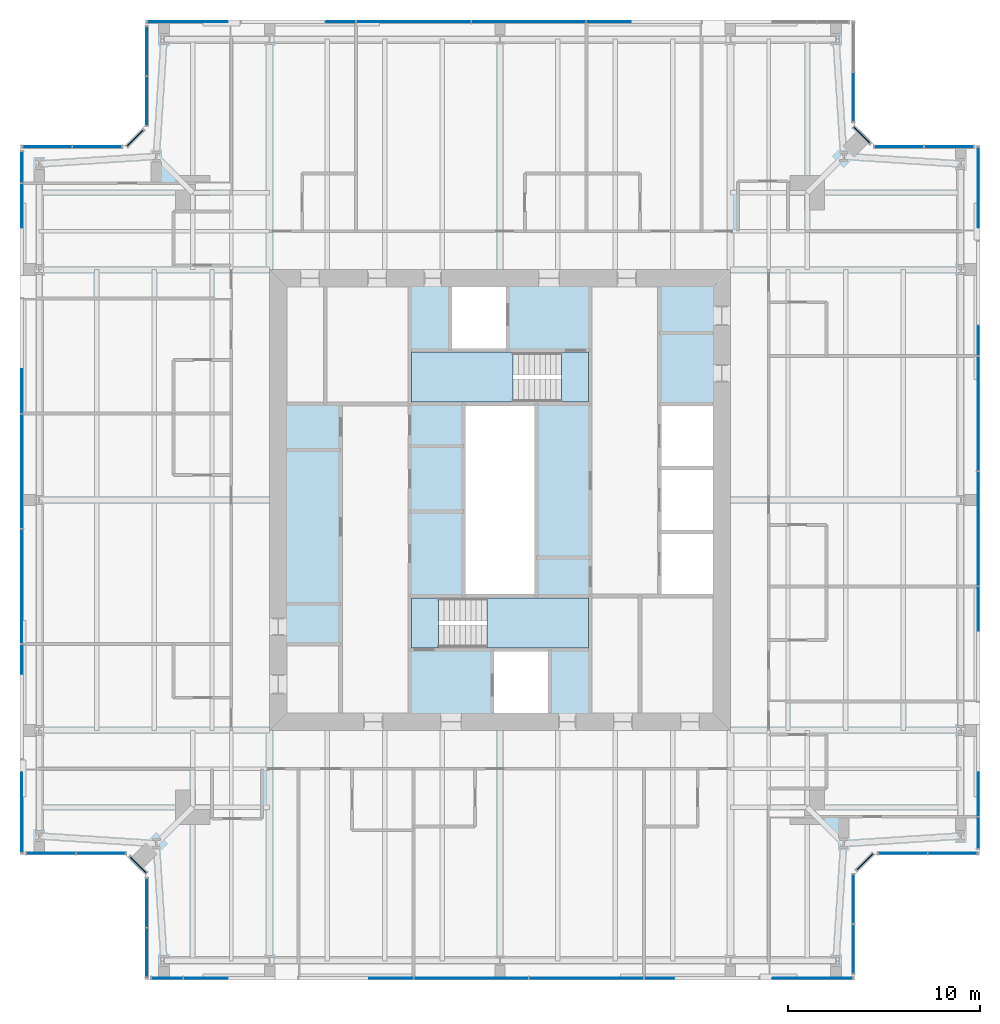
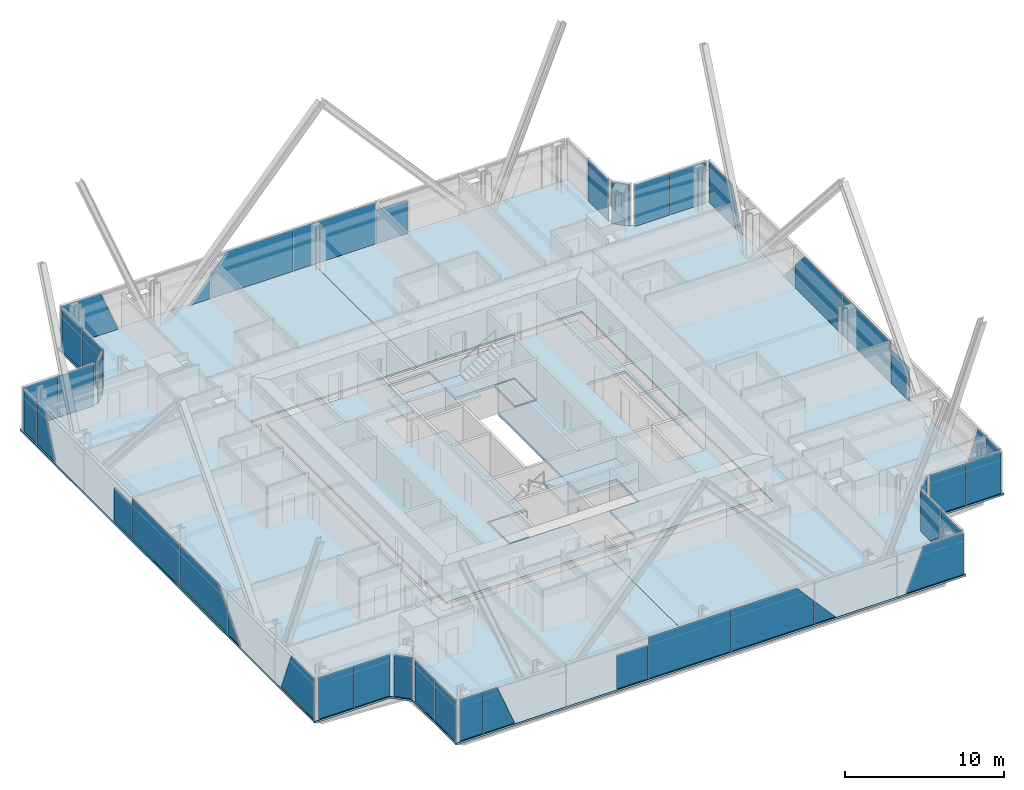
# One storey, part 10 of 18: 45 plates, 7 slabs, 18 elements without a shape of their own.
"""IFC4 building model written with IfcOpenShell, lengths in metres."""

import ifcopenshell
import ifcopenshell.guid

model = None  # the IFC model being written
_history = None  # IfcOwnerHistory: only IFC2X3 demands one
_inside = {}  # id of a spatial element -> (the spatial element, [elements in it])
_under = {}  # id of a project, library or spatial element -> (it, [spatial elements below it])
_declared = {}  # id of a project -> (the project, [libraries it declares])
_typed = {}  # id of a type object -> (the type object, [elements of that type])
_made_of = {}  # id of a material, layer set ... -> (it, [elements and type objects made of it])


def new_model(schema):
    """Start an empty IFC model of exactly this schema.

    Asked for "IFC4X3", IfcOpenShell would pick the latest addendum, in which some entities
    have other attributes; the version numbers below select the first issue.
    IFC2X3 requires an IfcOwnerHistory on every rooted entity: one is made here for all.
    """
    global model, _history
    if schema == "IFC4X3":
        model = ifcopenshell.file(schema_version=(4, 3, 0, 0))
    else:
        model = ifcopenshell.file(schema=schema)
    _inside.clear()
    _under.clear()
    _declared.clear()
    _typed.clear()
    _made_of.clear()
    _history = None
    if model.schema == "IFC2X3":
        org = make("IfcOrganization", Name="unknown")
        user = make(
            "IfcPersonAndOrganization",
            ThePerson=make("IfcPerson", FamilyName="unknown"),
            TheOrganization=org,
        )
        app = make(
            "IfcApplication",
            ApplicationDeveloper=org,
            Version="unknown",
            ApplicationFullName="unknown",
            ApplicationIdentifier="unknown",
        )
        _history = make(
            "IfcOwnerHistory",
            OwningUser=user,
            OwningApplication=app,
            ChangeAction="ADDED",
            CreationDate=0,
        )
    return model


def make(cls, **values):
    """One entity of the class cls with the attributes given. An attribute that is None is left unset."""
    return model.create_entity(
        cls, **{name: value for name, value in values.items() if value is not None}
    )


def rooted(cls, **values):
    """An entity with a GlobalId (a new one), such as an element, a storey or a relation."""
    return make(cls, GlobalId=ifcopenshell.guid.new(), OwnerHistory=_history, **values)


def si_unit(unit_type, name, prefix=None):
    """IfcSIUnit, for example si_unit("LENGTHUNIT", "METRE", prefix="MILLI")."""
    return make("IfcSIUnit", UnitType=unit_type, Prefix=prefix, Name=name)


def assignment(units):
    """IfcUnitAssignment: the units of a project."""
    return None if units is None else make("IfcUnitAssignment", Units=units)


def point(xyz):
    """IfcCartesianPoint."""
    return None if xyz is None else make("IfcCartesianPoint", Coordinates=xyz)


def direction(xyz):
    """IfcDirection."""
    return None if xyz is None else make("IfcDirection", DirectionRatios=xyz)


def frame(location, z_axis=None, x_axis=None):
    """IfcAxis2Placement3D, a coordinate frame: its origin and axes. An axis left out is left unset."""
    return make(
        "IfcAxis2Placement3D",
        Location=point(location),
        Axis=direction(z_axis),
        RefDirection=direction(x_axis),
    )


def frame_2d(location, x_axis=None):
    """IfcAxis2Placement2D, a coordinate frame in the plane: its origin and x axis."""
    return make(
        "IfcAxis2Placement2D", Location=point(location), RefDirection=direction(x_axis)
    )


def origin():
    """The frame at (0, 0, 0) with its axes left unset."""
    return frame((0.0, 0.0, 0.0))


def origin_2d():
    """The frame at (0, 0) in the plane with its x axis left unset."""
    return frame_2d((0.0, 0.0))


def place(relative_to, where):
    """IfcLocalPlacement: puts the frame where relative to a parent placement (None: the world)."""
    return make(
        "IfcLocalPlacement", PlacementRelTo=relative_to, RelativePlacement=where
    )


def context(
    kind, dimensions, precision=None, world=None, true_north=None, identifier=None
):
    """IfcGeometricRepresentationContext, for example the 3D "Model" context."""
    return make(
        "IfcGeometricRepresentationContext",
        ContextIdentifier=identifier,
        ContextType=kind,
        CoordinateSpaceDimension=dimensions,
        Precision=precision,
        WorldCoordinateSystem=world,
        TrueNorth=true_north,
    )


def subcontext(parent, identifier, kind, view, scale=None):
    """IfcGeometricRepresentationSubContext, for example "Body" below "Model"."""
    return make(
        "IfcGeometricRepresentationSubContext",
        ContextIdentifier=identifier,
        ContextType=kind,
        ParentContext=parent,
        TargetScale=scale,
        TargetView=view,
    )


def project(units=None, contexts=None):
    """IfcProject with its units and contexts."""
    return rooted(
        "IfcProject",
        Name="project",
        RepresentationContexts=contexts,
        UnitsInContext=assignment(units),
    )


def spatial(cls, under=None, at=None, **own):
    """A site, building, storey or space (cls), placed at a placement, below another one or the project."""
    s = rooted(cls, ObjectPlacement=at, **own)
    if under is not None:
        _under.setdefault(under.id(), (under, []))[1].append(s)
    return s


def polyline(points):
    """IfcPolyline through the points."""
    return make("IfcPolyline", Points=[point(p) for p in points])


def profile(cls, at=None, kind="AREA", **sizes):
    """A parametric profile (cls). Its sizes go by their IFC names, for example OverallWidth=200.0."""
    return make(cls, ProfileType=kind, Position=at, **sizes)


def rectangle(**sizes):
    """IfcRectangleProfileDef."""
    return profile("IfcRectangleProfileDef", **sizes)


def outline(outer, holes=None, kind="AREA"):
    """IfcArbitraryClosedProfileDef: a profile drawn as a closed curve; with holes, ...WithVoids."""
    if holes is None:
        return make("IfcArbitraryClosedProfileDef", ProfileType=kind, OuterCurve=outer)
    return make(
        "IfcArbitraryProfileDefWithVoids",
        ProfileType=kind,
        OuterCurve=outer,
        InnerCurves=holes,
    )


def extrude(swept, where, along, depth):
    """IfcExtrudedAreaSolid: the profile swept, set in the frame where, extruded along a direction by depth."""
    return make(
        "IfcExtrudedAreaSolid",
        SweptArea=swept,
        Position=where,
        ExtrudedDirection=direction(along),
        Depth=depth,
    )


def shape(context_of_items, identifier, shape_type, items):
    """IfcShapeRepresentation: the items that make up one representation, for example the "Body"."""
    return make(
        "IfcShapeRepresentation",
        ContextOfItems=context_of_items,
        RepresentationIdentifier=identifier,
        RepresentationType=shape_type,
        Items=items,
    )


def material(Name=None, Category=None):
    """IfcMaterial."""
    return make("IfcMaterial", Name=Name, Category=Category)


def layer(
    of_material, thickness, ventilated=None, Name=None, Category=None, Priority=None
):
    """IfcMaterialLayer: one layer of a wall or slab, of a material (None: an air gap)."""
    return make(
        "IfcMaterialLayer",
        Material=of_material,
        LayerThickness=thickness,
        IsVentilated=ventilated,
        Name=Name,
        Category=Category,
        Priority=Priority,
    )


def layer_set(layers, Name=None):
    """IfcMaterialLayerSet."""
    return make("IfcMaterialLayerSet", MaterialLayers=layers, LayerSetName=Name)


def made_of(thing, what):
    """Note that an element or type object is made of a material, layer set ...; save() writes the relation."""
    if what is not None:
        _made_of.setdefault(what.id(), (what, []))[1].append(thing)
    return thing


def type_object(cls, material=None, **own):
    """A type object (cls), such as IfcWallType, which elements share."""
    return made_of(rooted(cls, **own), material)


def element(
    cls,
    number,
    at=None,
    inside=None,
    cuts=None,
    type_object=None,
    material=None,
    context=None,
    identifier="Body",
    shape_type=None,
    held_by="IfcProductDefinitionShape",
    body=None,
    shapes=None,
    **own,
):
    """One element of the class cls, such as IfcWall. Its Tag is "e" and its number.

    at: its placement. inside: the storey or other place that contains it. cuts: it is an
    opening in that element (IfcRelVoidsElement). A single representation is given by context,
    identifier, shape_type and body (its items); several are given by shapes. held_by: the class
    of the entity that holds the representations. save() writes the other relations.
    """
    e = rooted(cls, Tag="e%d" % number, ObjectPlacement=at, **own)
    if body is not None:
        shapes = [shape(context, identifier, shape_type, body)]
    if shapes is not None:
        e.Representation = make(held_by, Representations=shapes)
    if inside is not None:
        _inside.setdefault(inside.id(), (inside, []))[1].append(e)
    if cuts is not None:
        rooted(
            "IfcRelVoidsElement", RelatingBuildingElement=cuts, RelatedOpeningElement=e
        )
    if type_object is not None:
        _typed.setdefault(type_object.id(), (type_object, []))[1].append(e)
    return made_of(e, material)


def aggregate(whole, parts):
    """IfcRelAggregates: a whole, such as a stair, and the parts it consists of."""
    return rooted("IfcRelAggregates", RelatingObject=whole, RelatedObjects=parts)


def save(model, path):
    """Write the relations noted so far, then the file.

    IfcRelAggregates (storeys below a building ...), IfcRelContainedInSpatialStructure (elements
    in a storey), IfcRelDefinesByType, IfcRelAssociatesMaterial and IfcRelDeclares: one each for
    every whole, place, type object, material and project.
    """
    for whole, parts in _under.values():
        aggregate(whole, parts)
    for where, things in _inside.values():
        rooted(
            "IfcRelContainedInSpatialStructure",
            RelatedElements=things,
            RelatingStructure=where,
        )
    for kind, things in _typed.values():
        rooted("IfcRelDefinesByType", RelatedObjects=things, RelatingType=kind)
    for what, things in _made_of.values():
        rooted("IfcRelAssociatesMaterial", RelatedObjects=things, RelatingMaterial=what)
    for by, libraries in _declared.values():
        rooted("IfcRelDeclares", RelatingContext=by, RelatedDefinitions=libraries)
    model.write(path)


model = new_model("IFC4")

# Units and contexts
model_context = context("Model", 3, precision=1e-05, world=origin(), true_north=direction((0.0, 1.0)))
body_context = subcontext(model_context, "Body", "Model", "MODEL_VIEW")
ifc_project = project(units=[si_unit("LENGTHUNIT", "METRE"), si_unit("AREAUNIT", "SQUARE_METRE"), si_unit("VOLUMEUNIT", "CUBIC_METRE"), si_unit("PLANEANGLEUNIT", "RADIAN"), si_unit("MASSUNIT", "GRAM", prefix="KILO")], contexts=[model_context])

# Site, building, storey
site_placement = place(None, origin())
site = spatial("IfcSite", under=ifc_project, at=site_placement, CompositionType="ELEMENT")
building_placement = place(site_placement, origin())
building = spatial("IfcBuilding", under=site, at=building_placement, Name="Fenwick Lantern Interchange", CompositionType="ELEMENT")
storey_placement = place(building_placement, frame((0.0, 0.0, 269.60009765625)))
storey = spatial("IfcBuildingStorey", under=building, at=storey_placement, Name="L64", CompositionType="ELEMENT", Elevation=269.60009765625)

# Slabs
ifc_material_1 = material(Name="Concrete f'c 35 MPa", Category="concrete")
ifc_layer_1 = layer(ifc_material_1, 0.199951171875)
ifc_layer_set_1 = layer_set([ifc_layer_1], Name="CORE FLOOR SLAB 200")
slab_type_1 = type_object("IfcSlabType", Name="CORE FLOOR SLAB 200", PredefinedType="FLOOR", material=ifc_layer_set_1)
slab_1_placement = place(storey_placement, frame((0.0, 0.0, -0.2001953125)))
element("IfcSlab", 1, at=slab_1_placement, inside=storey, type_object=slab_type_1, Name="L64/SLAB/CORE", PredefinedType="FLOOR", context=body_context, shape_type="SweptSolid", body=[
    extrude(outline(polyline([(13.699951171875, 36.300048828125), (36.300048828125, 36.300048828125), (36.300048828125, 13.699951171875), (13.699951171875, 13.699951171875), (13.699951171875, 36.300048828125)]), holes=[polyline([(24.60009765625, 13.89990234375), (27.60009765625, 13.89990234375), (27.60009765625, 17.199951171875), (29.699951171875, 17.199951171875), (29.699951171875, 20.0), (26.89990234375, 20.0), (26.89990234375, 30.0), (29.699951171875, 30.0), (29.699951171875, 32.800048828125), (25.39990234375, 32.800048828125), (25.39990234375, 36.10009765625), (22.39990234375, 36.10009765625), (22.39990234375, 32.800048828125), (20.300048828125, 32.800048828125), (20.300048828125, 30.0), (23.10009765625, 30.0), (23.10009765625, 20.0), (20.300048828125, 20.0), (20.300048828125, 17.199951171875), (24.60009765625, 17.199951171875), (24.60009765625, 13.89990234375)]), polyline([(33.300048828125, 20.0), (36.10009765625, 20.0), (36.10009765625, 23.333251953125), (36.10009765625, 26.666748046875), (36.10009765625, 30.0), (33.300048828125, 30.0), (33.300048828125, 26.666748046875), (33.300048828125, 23.333251953125), (33.300048828125, 20.0)])]), origin(), (0.0, 0.0, 1.0), 0.2001953125),
])
ifc_material_2 = material(Name="Concrete f'c 35 MPa", Category="concrete")
ifc_layer_2 = layer(ifc_material_2, 0.14990234375)
ifc_layer_set_2 = layer_set([ifc_layer_2], Name="Concrete f'c 35 MPa")
slab_type_2 = type_object("IfcSlabType", Name="FLOOR SLAB 150", PredefinedType="FLOOR", material=ifc_layer_set_2)
slab_2_placement = place(storey_placement, frame((0.0, 0.0, -0.150146484375)))
element("IfcSlab", 2, at=slab_2_placement, inside=storey, type_object=slab_type_2, Name="L64/SLAB/FW", PredefinedType="FLOOR", context=body_context, shape_type="SweptSolid", body=[
    extrude(outline(polyline([(6.5, 0.0), (6.5, 5.5), (5.5, 6.5), (0.0, 6.5), (0.0, 43.5), (5.5, 43.5), (6.5, 44.5), (6.5, 50.0), (25.0, 50.0), (25.0, 37.0), (13.0, 37.0), (13.0, 13.0), (25.0, 13.0), (25.0, 0.0), (6.5, 0.0)])), origin(), (0.0, 0.0, 1.0), 0.150146484375),
])
slab_3_placement = place(storey_placement, frame((0.0, 0.0, -0.150146484375)))
element("IfcSlab", 3, at=slab_3_placement, inside=storey, type_object=slab_type_2, Name="L64/SLAB/FE", PredefinedType="FLOOR", context=body_context, shape_type="SweptSolid", body=[
    extrude(outline(polyline([(43.5, 50.0), (43.5, 44.5), (44.5, 43.5), (50.0, 43.5), (50.0, 6.5), (44.5, 6.5), (43.5, 5.5), (43.5, 0.0), (25.0, 0.0), (25.0, 13.0), (37.0, 13.0), (37.0, 37.0), (25.0, 37.0), (25.0, 50.0), (43.5, 50.0)])), origin(), (0.0, 0.0, 1.0), 0.150146484375),
])

# Curtain wall, plates
ifc_material_3 = material(Name="Aluminium curtain wall frame", Category="aluminium")
curtain_wall_type = type_object("IfcCurtainWallType", Name="HOTEL CURTAIN WALL", PredefinedType="USERDEFINED", material=ifc_material_3)
curtain_wall_1_placement = place(storey_placement, origin())
curtain_wall_1 = element("IfcCurtainWall", 4, at=curtain_wall_1_placement, inside=storey, type_object=curtain_wall_type, Name="Hotel curtain wall 01", ObjectType="HOTEL CURTAIN WALL", PredefinedType="USERDEFINED")
ifc_material_4 = material(Name="Vision glass, acoustic laminated double glazed unit", Category="glass")
ifc_layer_3 = layer(ifc_material_4, 0.052001953125)
ifc_layer_set_3 = layer_set([ifc_layer_3], Name="HOTEL CURTAIN WALL PANEL 52")
plate_type = type_object("IfcPlateType", Name="HOTEL CURTAIN WALL PANEL 52", PredefinedType="CURTAIN_PANEL", material=ifc_layer_set_3)
plate_1_placement = place(storey_placement, frame((7.6650390625, 0.10009765625, 0.0), z_axis=(0.0, 0.0, 1.0), x_axis=(1.0, 0.0, 0.0)))
plate_1 = element("IfcPlate", 5, at=plate_1_placement, type_object=plate_type, Name="L64/CW/01/P00", PredefinedType="CURTAIN_PANEL", context=body_context, shape_type="SweptSolid", body=[
    extrude(rectangle(XDim=1.610107421875, YDim=0.052001953125, at=origin_2d()), origin(), (0.0, 0.0, 1.0), 3.14990234375),
])
plate_2_placement = place(storey_placement, frame((6.60009765625, 0.10009765625, 0.0), z_axis=(0.0, 0.0, 1.0), x_axis=(1.0, 0.0, 0.0)))
plate_2 = element("IfcPlate", 6, at=plate_2_placement, type_object=plate_type, Name="L64/CW/01/P01a", PredefinedType="CURTAIN_PANEL", context=body_context, shape_type="SweptSolid", body=[
    extrude(outline(polyline([(1.929931640625, 0.0), (4.21337890625, 0.0), (2.939453125, 3.14990234375), (1.929931640625, 3.14990234375), (1.929931640625, 0.0)])), frame((0.0, 0.02587890625, 0.0), z_axis=(0.0, -1.0, 0.0), x_axis=(1.0, 0.0, 0.0)), (0.0, 0.0, 1.0), 0.052001953125),
])
plate_3_placement = place(storey_placement, frame((6.60009765625, 0.10009765625, 0.0), z_axis=(0.0, 0.0, 1.0), x_axis=(1.0, 0.0, 0.0)))
plate_3 = element("IfcPlate", 7, at=plate_3_placement, type_object=plate_type, Name="L64/CW/01/P02a", PredefinedType="CURTAIN_PANEL", context=body_context, shape_type="SweptSolid", body=[
    extrude(outline(polyline([(11.600341796875, 0.0), (13.8701171875, 0.0), (13.8701171875, 2.56689453125), (11.600341796875, 2.56689453125), (11.600341796875, 0.0)])), frame((0.0, 0.02587890625, 0.0), z_axis=(0.0, -1.0, 0.0), x_axis=(1.0, 0.0, 0.0)), (0.0, 0.0, 1.0), 0.052001953125),
])
plate_4_placement = place(storey_placement, frame((23.5, 0.10009765625, 0.0), z_axis=(0.0, 0.0, 1.0), x_axis=(1.0, 0.0, 0.0)))
plate_4 = element("IfcPlate", 8, at=plate_4_placement, type_object=plate_type, Name="L64/CW/01/P03", PredefinedType="CURTAIN_PANEL", context=body_context, shape_type="SweptSolid", body=[
    extrude(rectangle(XDim=5.93994140625, YDim=0.052001953125, at=origin_2d()), origin(), (0.0, 0.0, 1.0), 3.14990234375),
])
plate_5_placement = place(storey_placement, frame((6.60009765625, 0.10009765625, 0.0), z_axis=(0.0, 0.0, 1.0), x_axis=(1.0, 0.0, 0.0)))
plate_5 = element("IfcPlate", 9, at=plate_5_placement, type_object=plate_type, Name="L64/CW/01/P04a", PredefinedType="CURTAIN_PANEL", context=body_context, shape_type="SweptSolid", body=[
    extrude(outline(polyline([(19.929931640625, 0.0), (25.8701171875, 0.0), (25.8701171875, 1.807373046875), (24.685302734375, 3.14990234375), (19.929931640625, 3.14990234375), (19.929931640625, 0.0)])), frame((0.0, 0.02587890625, 0.0), z_axis=(0.0, -1.0, 0.0), x_axis=(1.0, 0.0, 0.0)), (0.0, 0.0, 1.0), 0.052001953125),
])
plate_6_placement = place(storey_placement, frame((6.60009765625, 0.10009765625, 0.0), z_axis=(0.0, 0.0, 1.0), x_axis=(1.0, 0.0, 0.0)))
plate_6 = element("IfcPlate", 10, at=plate_6_placement, type_object=plate_type, Name="L64/CW/01/P05a", PredefinedType="CURTAIN_PANEL", context=body_context, shape_type="SweptSolid", body=[
    extrude(outline(polyline([(25.929931640625, 0.0), (27.46484375, 0.0), (25.929931640625, 1.7392578125), (25.929931640625, 0.0)])), frame((0.0, 0.02587890625, 0.0), z_axis=(0.0, -1.0, 0.0), x_axis=(1.0, 0.0, 0.0)), (0.0, 0.0, 1.0), 0.052001953125),
])
plate_7_placement = place(storey_placement, frame((6.60009765625, 0.10009765625, 0.0), z_axis=(0.0, 0.0, 1.0), x_axis=(1.0, 0.0, 0.0)))
plate_7 = element("IfcPlate", 11, at=plate_7_placement, type_object=plate_type, Name="L64/CW/01/P06a", PredefinedType="CURTAIN_PANEL", context=body_context, shape_type="SweptSolid", body=[
    extrude(outline(polyline([(32.586669921875, 0.0), (36.739990234375, 0.0), (36.739990234375, 3.14990234375), (33.860595703125, 3.14990234375), (32.586669921875, 0.0)])), frame((0.0, 0.02587890625, 0.0), z_axis=(0.0, -1.0, 0.0), x_axis=(1.0, 0.0, 0.0)), (0.0, 0.0, 1.0), 0.052001953125),
])
aggregate(curtain_wall_1, [plate_1, plate_2, plate_3, plate_4, plate_5, plate_6, plate_7])

curtain_wall_2_placement = place(storey_placement, origin())
curtain_wall_2 = element("IfcCurtainWall", 12, at=curtain_wall_2_placement, inside=storey, type_object=curtain_wall_type, Name="Hotel curtain wall 02", ObjectType="HOTEL CURTAIN WALL", PredefinedType="USERDEFINED")
plate_8_placement = place(storey_placement, frame((43.39990234375, 1.625244140625, 0.0), z_axis=(0.0, 0.0, 1.0), x_axis=(0.0, 1.0, 0.0)))
plate_8 = element("IfcPlate", 13, at=plate_8_placement, type_object=plate_type, Name="L64/CW/02/P00", PredefinedType="CURTAIN_PANEL", context=body_context, shape_type="SweptSolid", body=[
    extrude(rectangle(XDim=2.53076171875, YDim=0.052001953125, at=origin_2d()), origin(), (0.0, 0.0, 1.0), 3.14990234375),
])
plate_9_placement = place(storey_placement, frame((43.39990234375, 4.216064453125, 0.0), z_axis=(0.0, 0.0, 1.0), x_axis=(0.0, 1.0, 0.0)))
plate_9 = element("IfcPlate", 14, at=plate_9_placement, type_object=plate_type, Name="L64/CW/02/P01", PredefinedType="CURTAIN_PANEL", context=body_context, shape_type="SweptSolid", body=[
    extrude(rectangle(XDim=2.53076171875, YDim=0.052001953125, at=origin_2d()), origin(), (0.0, 0.0, 1.0), 3.14990234375),
])
aggregate(curtain_wall_2, [plate_8, plate_9])

# Curtain wall, plate
curtain_wall_3_placement = place(storey_placement, origin())
curtain_wall_3 = element("IfcCurtainWall", 15, at=curtain_wall_3_placement, inside=storey, type_object=curtain_wall_type, Name="Hotel curtain wall 03", ObjectType="HOTEL CURTAIN WALL", PredefinedType="USERDEFINED")
plate_10_placement = place(storey_placement, frame((44.0, 6.141357421875, 0.0), z_axis=(0.0, 0.0, 1.0), x_axis=(0.707106781187, 0.707106781187, 0.0)))
plate_10 = element("IfcPlate", 16, at=plate_10_placement, type_object=plate_type, Name="L64/CW/03/P00", PredefinedType="CURTAIN_PANEL", context=body_context, shape_type="SweptSolid", body=[
    extrude(rectangle(XDim=1.177001953125, YDim=0.052001953125, at=origin_2d()), origin(), (0.0, 0.0, 1.0), 3.14990234375),
])
aggregate(curtain_wall_3, [plate_10])

# Curtain wall, plates
curtain_wall_4_placement = place(storey_placement, origin())
curtain_wall_4 = element("IfcCurtainWall", 17, at=curtain_wall_4_placement, inside=storey, type_object=curtain_wall_type, Name="Hotel curtain wall 04", ObjectType="HOTEL CURTAIN WALL", PredefinedType="USERDEFINED")
plate_11_placement = place(storey_placement, frame((45.98388671875, 6.60009765625, 0.0), z_axis=(0.0, 0.0, 1.0), x_axis=(1.0, 0.0, 0.0)))
plate_11 = element("IfcPlate", 18, at=plate_11_placement, type_object=plate_type, Name="L64/CW/04/P00", PredefinedType="CURTAIN_PANEL", context=body_context, shape_type="SweptSolid", body=[
    extrude(rectangle(XDim=2.53076171875, YDim=0.052001953125, at=origin_2d()), origin(), (0.0, 0.0, 1.0), 3.14990234375),
])
plate_12_placement = place(storey_placement, frame((48.57470703125, 6.60009765625, 0.0), z_axis=(0.0, 0.0, 1.0), x_axis=(1.0, 0.0, 0.0)))
plate_12 = element("IfcPlate", 19, at=plate_12_placement, type_object=plate_type, Name="L64/CW/04/P01", PredefinedType="CURTAIN_PANEL", context=body_context, shape_type="SweptSolid", body=[
    extrude(rectangle(XDim=2.53076171875, YDim=0.052001953125, at=origin_2d()), origin(), (0.0, 0.0, 1.0), 3.14990234375),
])
aggregate(curtain_wall_4, [plate_11, plate_12])

curtain_wall_5_placement = place(storey_placement, origin())
curtain_wall_5 = element("IfcCurtainWall", 20, at=curtain_wall_5_placement, inside=storey, type_object=curtain_wall_type, Name="Hotel curtain wall 05", ObjectType="HOTEL CURTAIN WALL", PredefinedType="USERDEFINED")
plate_13_placement = place(storey_placement, frame((49.89990234375, 7.6650390625, 0.0), z_axis=(0.0, 0.0, 1.0), x_axis=(0.0, 1.0, 0.0)))
plate_13 = element("IfcPlate", 21, at=plate_13_placement, type_object=plate_type, Name="L64/CW/05/P00", PredefinedType="CURTAIN_PANEL", context=body_context, shape_type="SweptSolid", body=[
    extrude(rectangle(XDim=1.610107421875, YDim=0.052001953125, at=origin_2d()), origin(), (0.0, 0.0, 1.0), 3.14990234375),
])
plate_14_placement = place(storey_placement, frame((49.89990234375, 6.60009765625, 0.0), z_axis=(0.0, 0.0, 1.0), x_axis=(0.0, 1.0, 0.0)))
plate_14 = element("IfcPlate", 22, at=plate_14_placement, type_object=plate_type, Name="L64/CW/05/P01a", PredefinedType="CURTAIN_PANEL", context=body_context, shape_type="SweptSolid", body=[
    extrude(outline(polyline([(1.929931640625, 0.0), (4.21337890625, 0.0), (2.939453125, 3.14990234375), (1.929931640625, 3.14990234375), (1.929931640625, 0.0)])), frame((0.0, 0.02587890625, 0.0), z_axis=(0.0, -1.0, 0.0), x_axis=(1.0, 0.0, 0.0)), (0.0, 0.0, 1.0), 0.052001953125),
])
plate_15_placement = place(storey_placement, frame((49.89990234375, 6.60009765625, 0.0), z_axis=(0.0, 0.0, 1.0), x_axis=(0.0, 1.0, 0.0)))
plate_15 = element("IfcPlate", 23, at=plate_15_placement, type_object=plate_type, Name="L64/CW/05/P02a", PredefinedType="CURTAIN_PANEL", context=body_context, shape_type="SweptSolid", body=[
    extrude(outline(polyline([(11.600341796875, 0.0), (13.8701171875, 0.0), (13.8701171875, 2.56689453125), (11.600341796875, 2.56689453125), (11.600341796875, 0.0)])), frame((0.0, 0.02587890625, 0.0), z_axis=(0.0, -1.0, 0.0), x_axis=(1.0, 0.0, 0.0)), (0.0, 0.0, 1.0), 0.052001953125),
])
plate_16_placement = place(storey_placement, frame((49.89990234375, 23.5, 0.0), z_axis=(0.0, 0.0, 1.0), x_axis=(0.0, 1.0, 0.0)))
plate_16 = element("IfcPlate", 24, at=plate_16_placement, type_object=plate_type, Name="L64/CW/05/P03", PredefinedType="CURTAIN_PANEL", context=body_context, shape_type="SweptSolid", body=[
    extrude(rectangle(XDim=5.93994140625, YDim=0.052001953125, at=origin_2d()), origin(), (0.0, 0.0, 1.0), 3.14990234375),
])
plate_17_placement = place(storey_placement, frame((49.89990234375, 6.60009765625, 0.0), z_axis=(0.0, 0.0, 1.0), x_axis=(0.0, 1.0, 0.0)))
plate_17 = element("IfcPlate", 25, at=plate_17_placement, type_object=plate_type, Name="L64/CW/05/P04a", PredefinedType="CURTAIN_PANEL", context=body_context, shape_type="SweptSolid", body=[
    extrude(outline(polyline([(19.929931640625, 0.0), (25.8701171875, 0.0), (25.8701171875, 1.807373046875), (24.685302734375, 3.14990234375), (19.929931640625, 3.14990234375), (19.929931640625, 0.0)])), frame((0.0, 0.02587890625, 0.0), z_axis=(0.0, -1.0, 0.0), x_axis=(1.0, 0.0, 0.0)), (0.0, 0.0, 1.0), 0.052001953125),
])
plate_18_placement = place(storey_placement, frame((49.89990234375, 6.60009765625, 0.0), z_axis=(0.0, 0.0, 1.0), x_axis=(0.0, 1.0, 0.0)))
plate_18 = element("IfcPlate", 26, at=plate_18_placement, type_object=plate_type, Name="L64/CW/05/P05a", PredefinedType="CURTAIN_PANEL", context=body_context, shape_type="SweptSolid", body=[
    extrude(outline(polyline([(25.929931640625, 0.0), (27.46484375, 0.0), (25.929931640625, 1.7392578125), (25.929931640625, 0.0)])), frame((0.0, 0.02587890625, 0.0), z_axis=(0.0, -1.0, 0.0), x_axis=(1.0, 0.0, 0.0)), (0.0, 0.0, 1.0), 0.052001953125),
])
plate_19_placement = place(storey_placement, frame((49.89990234375, 6.60009765625, 0.0), z_axis=(0.0, 0.0, 1.0), x_axis=(0.0, 1.0, 0.0)))
plate_19 = element("IfcPlate", 27, at=plate_19_placement, type_object=plate_type, Name="L64/CW/05/P06a", PredefinedType="CURTAIN_PANEL", context=body_context, shape_type="SweptSolid", body=[
    extrude(outline(polyline([(32.586669921875, 0.0), (36.739990234375, 0.0), (36.739990234375, 3.14990234375), (33.860595703125, 3.14990234375), (32.586669921875, 0.0)])), frame((0.0, 0.02587890625, 0.0), z_axis=(0.0, -1.0, 0.0), x_axis=(1.0, 0.0, 0.0)), (0.0, 0.0, 1.0), 0.052001953125),
])
aggregate(curtain_wall_5, [plate_13, plate_14, plate_15, plate_16, plate_17, plate_18, plate_19])

curtain_wall_6_placement = place(storey_placement, origin())
curtain_wall_6 = element("IfcCurtainWall", 28, at=curtain_wall_6_placement, inside=storey, type_object=curtain_wall_type, Name="Hotel curtain wall 06", ObjectType="HOTEL CURTAIN WALL", PredefinedType="USERDEFINED")
plate_20_placement = place(storey_placement, frame((48.374755859375, 43.39990234375, 0.0), z_axis=(0.0, 0.0, 1.0), x_axis=(-1.0, 0.0, 0.0)))
plate_20 = element("IfcPlate", 29, at=plate_20_placement, type_object=plate_type, Name="L64/CW/06/P00", PredefinedType="CURTAIN_PANEL", context=body_context, shape_type="SweptSolid", body=[
    extrude(rectangle(XDim=2.53076171875, YDim=0.052001953125, at=origin_2d()), origin(), (0.0, 0.0, 1.0), 3.14990234375),
])
plate_21_placement = place(storey_placement, frame((45.783935546875, 43.39990234375, 0.0), z_axis=(0.0, 0.0, 1.0), x_axis=(-1.0, 0.0, 0.0)))
plate_21 = element("IfcPlate", 30, at=plate_21_placement, type_object=plate_type, Name="L64/CW/06/P01", PredefinedType="CURTAIN_PANEL", context=body_context, shape_type="SweptSolid", body=[
    extrude(rectangle(XDim=2.53076171875, YDim=0.052001953125, at=origin_2d()), origin(), (0.0, 0.0, 1.0), 3.14990234375),
])
aggregate(curtain_wall_6, [plate_20, plate_21])

# Curtain wall, plate
curtain_wall_7_placement = place(storey_placement, origin())
curtain_wall_7 = element("IfcCurtainWall", 31, at=curtain_wall_7_placement, inside=storey, type_object=curtain_wall_type, Name="Hotel curtain wall 07", ObjectType="HOTEL CURTAIN WALL", PredefinedType="USERDEFINED")
plate_22_placement = place(storey_placement, frame((43.858642578125, 44.0, 0.0), z_axis=(0.0, 0.0, 1.0), x_axis=(-0.707106781187, 0.707106781187, 0.0)))
plate_22 = element("IfcPlate", 32, at=plate_22_placement, type_object=plate_type, Name="L64/CW/07/P00", PredefinedType="CURTAIN_PANEL", context=body_context, shape_type="SweptSolid", body=[
    extrude(rectangle(XDim=1.177001953125, YDim=0.052001953125, at=origin_2d()), origin(), (0.0, 0.0, 1.0), 3.14990234375),
])
aggregate(curtain_wall_7, [plate_22])

curtain_wall_8_placement = place(storey_placement, origin())
curtain_wall_8 = element("IfcCurtainWall", 33, at=curtain_wall_8_placement, inside=storey, type_object=curtain_wall_type, Name="Hotel curtain wall 08", ObjectType="HOTEL CURTAIN WALL", PredefinedType="USERDEFINED")
plate_23_placement = place(storey_placement, frame((43.39990234375, 45.98388671875, 0.0), z_axis=(0.0, 0.0, 1.0), x_axis=(0.0, 1.0, 0.0)))
plate_23 = element("IfcPlate", 34, at=plate_23_placement, type_object=plate_type, Name="L64/CW/08/P00", PredefinedType="CURTAIN_PANEL", context=body_context, shape_type="SweptSolid", body=[
    extrude(rectangle(XDim=2.53076171875, YDim=0.052001953125, at=origin_2d()), origin(), (0.0, 0.0, 1.0), 3.14990234375),
])
aggregate(curtain_wall_8, [plate_23])

# Curtain wall, plates
curtain_wall_9_placement = place(storey_placement, origin())
curtain_wall_9 = element("IfcCurtainWall", 35, at=curtain_wall_9_placement, inside=storey, type_object=curtain_wall_type, Name="Hotel curtain wall 09", ObjectType="HOTEL CURTAIN WALL", PredefinedType="USERDEFINED")
plate_24_placement = place(storey_placement, frame((43.39990234375, 49.89990234375, 0.0), z_axis=(0.0, 0.0, 1.0), x_axis=(-1.0, 0.0, 0.0)))
plate_24 = element("IfcPlate", 36, at=plate_24_placement, type_object=plate_type, Name="L64/CW/09/P02a", PredefinedType="CURTAIN_PANEL", context=body_context, shape_type="SweptSolid", body=[
    extrude(outline(polyline([(11.600341796875, 0.0), (13.8701171875, 0.0), (13.8701171875, 2.56689453125), (11.600341796875, 2.56689453125), (11.600341796875, 0.0)])), frame((0.0, 0.02587890625, 0.0), z_axis=(0.0, -1.0, 0.0), x_axis=(1.0, 0.0, 0.0)), (0.0, 0.0, 1.0), 0.052001953125),
])
plate_25_placement = place(storey_placement, frame((26.5, 49.89990234375, 0.0), z_axis=(0.0, 0.0, 1.0), x_axis=(-1.0, 0.0, 0.0)))
plate_25 = element("IfcPlate", 37, at=plate_25_placement, type_object=plate_type, Name="L64/CW/09/P03", PredefinedType="CURTAIN_PANEL", context=body_context, shape_type="SweptSolid", body=[
    extrude(rectangle(XDim=5.93994140625, YDim=0.052001953125, at=origin_2d()), origin(), (0.0, 0.0, 1.0), 3.14990234375),
])
plate_26_placement = place(storey_placement, frame((43.39990234375, 49.89990234375, 0.0), z_axis=(0.0, 0.0, 1.0), x_axis=(-1.0, 0.0, 0.0)))
plate_26 = element("IfcPlate", 38, at=plate_26_placement, type_object=plate_type, Name="L64/CW/09/P04a", PredefinedType="CURTAIN_PANEL", context=body_context, shape_type="SweptSolid", body=[
    extrude(outline(polyline([(19.929931640625, 0.0), (25.8701171875, 0.0), (25.8701171875, 1.807373046875), (24.685302734375, 3.14990234375), (19.929931640625, 3.14990234375), (19.929931640625, 0.0)])), frame((0.0, 0.02587890625, 0.0), z_axis=(0.0, -1.0, 0.0), x_axis=(1.0, 0.0, 0.0)), (0.0, 0.0, 1.0), 0.052001953125),
])
plate_27_placement = place(storey_placement, frame((43.39990234375, 49.89990234375, 0.0), z_axis=(0.0, 0.0, 1.0), x_axis=(-1.0, 0.0, 0.0)))
plate_27 = element("IfcPlate", 39, at=plate_27_placement, type_object=plate_type, Name="L64/CW/09/P05a", PredefinedType="CURTAIN_PANEL", context=body_context, shape_type="SweptSolid", body=[
    extrude(outline(polyline([(25.929931640625, 0.0), (27.46484375, 0.0), (25.929931640625, 1.7392578125), (25.929931640625, 0.0)])), frame((0.0, 0.02587890625, 0.0), z_axis=(0.0, -1.0, 0.0), x_axis=(1.0, 0.0, 0.0)), (0.0, 0.0, 1.0), 0.052001953125),
])
plate_28_placement = place(storey_placement, frame((43.39990234375, 49.89990234375, 0.0), z_axis=(0.0, 0.0, 1.0), x_axis=(-1.0, 0.0, 0.0)))
plate_28 = element("IfcPlate", 40, at=plate_28_placement, type_object=plate_type, Name="L64/CW/09/P06a", PredefinedType="CURTAIN_PANEL", context=body_context, shape_type="SweptSolid", body=[
    extrude(outline(polyline([(32.586669921875, 0.0), (36.739990234375, 0.0), (36.739990234375, 3.14990234375), (33.860595703125, 3.14990234375), (32.586669921875, 0.0)])), frame((0.0, 0.02587890625, 0.0), z_axis=(0.0, -1.0, 0.0), x_axis=(1.0, 0.0, 0.0)), (0.0, 0.0, 1.0), 0.052001953125),
])
aggregate(curtain_wall_9, [plate_24, plate_25, plate_26, plate_27, plate_28])

curtain_wall_10_placement = place(storey_placement, origin())
curtain_wall_10 = element("IfcCurtainWall", 41, at=curtain_wall_10_placement, inside=storey, type_object=curtain_wall_type, Name="Hotel curtain wall 10", ObjectType="HOTEL CURTAIN WALL", PredefinedType="USERDEFINED")
plate_29_placement = place(storey_placement, frame((6.60009765625, 48.374755859375, 0.0), z_axis=(0.0, 0.0, 1.0), x_axis=(0.0, -1.0, 0.0)))
plate_29 = element("IfcPlate", 42, at=plate_29_placement, type_object=plate_type, Name="L64/CW/10/P00", PredefinedType="CURTAIN_PANEL", context=body_context, shape_type="SweptSolid", body=[
    extrude(rectangle(XDim=2.53076171875, YDim=0.052001953125, at=origin_2d()), origin(), (0.0, 0.0, 1.0), 3.14990234375),
])
plate_30_placement = place(storey_placement, frame((6.60009765625, 45.783935546875, 0.0), z_axis=(0.0, 0.0, 1.0), x_axis=(0.0, -1.0, 0.0)))
plate_30 = element("IfcPlate", 43, at=plate_30_placement, type_object=plate_type, Name="L64/CW/10/P01", PredefinedType="CURTAIN_PANEL", context=body_context, shape_type="SweptSolid", body=[
    extrude(rectangle(XDim=2.53076171875, YDim=0.052001953125, at=origin_2d()), origin(), (0.0, 0.0, 1.0), 3.14990234375),
])
aggregate(curtain_wall_10, [plate_29, plate_30])

# Curtain wall, plate
curtain_wall_11_placement = place(storey_placement, origin())
curtain_wall_11 = element("IfcCurtainWall", 44, at=curtain_wall_11_placement, inside=storey, type_object=curtain_wall_type, Name="Hotel curtain wall 11", ObjectType="HOTEL CURTAIN WALL", PredefinedType="USERDEFINED")
plate_31_placement = place(storey_placement, frame((6.0, 43.858642578125, 0.0), z_axis=(0.0, 0.0, 1.0), x_axis=(-0.707106781187, -0.707106781187, 0.0)))
plate_31 = element("IfcPlate", 45, at=plate_31_placement, type_object=plate_type, Name="L64/CW/11/P00", PredefinedType="CURTAIN_PANEL", context=body_context, shape_type="SweptSolid", body=[
    extrude(rectangle(XDim=1.177001953125, YDim=0.052001953125, at=origin_2d()), origin(), (0.0, 0.0, 1.0), 3.14990234375),
])
aggregate(curtain_wall_11, [plate_31])

# Curtain wall, plates
curtain_wall_12_placement = place(storey_placement, origin())
curtain_wall_12 = element("IfcCurtainWall", 46, at=curtain_wall_12_placement, inside=storey, type_object=curtain_wall_type, Name="Hotel curtain wall 12", ObjectType="HOTEL CURTAIN WALL", PredefinedType="USERDEFINED")
plate_32_placement = place(storey_placement, frame((4.01611328125, 43.39990234375, 0.0), z_axis=(0.0, 0.0, 1.0), x_axis=(-1.0, 0.0, 0.0)))
plate_32 = element("IfcPlate", 47, at=plate_32_placement, type_object=plate_type, Name="L64/CW/12/P00", PredefinedType="CURTAIN_PANEL", context=body_context, shape_type="SweptSolid", body=[
    extrude(rectangle(XDim=2.53076171875, YDim=0.052001953125, at=origin_2d()), origin(), (0.0, 0.0, 1.0), 3.14990234375),
])
plate_33_placement = place(storey_placement, frame((1.42529296875, 43.39990234375, 0.0), z_axis=(0.0, 0.0, 1.0), x_axis=(-1.0, 0.0, 0.0)))
plate_33 = element("IfcPlate", 48, at=plate_33_placement, type_object=plate_type, Name="L64/CW/12/P01", PredefinedType="CURTAIN_PANEL", context=body_context, shape_type="SweptSolid", body=[
    extrude(rectangle(XDim=2.53076171875, YDim=0.052001953125, at=origin_2d()), origin(), (0.0, 0.0, 1.0), 3.14990234375),
])
aggregate(curtain_wall_12, [plate_32, plate_33])

curtain_wall_13_placement = place(storey_placement, origin())
curtain_wall_13 = element("IfcCurtainWall", 49, at=curtain_wall_13_placement, inside=storey, type_object=curtain_wall_type, Name="Hotel curtain wall 13", ObjectType="HOTEL CURTAIN WALL", PredefinedType="USERDEFINED")
plate_34_placement = place(storey_placement, frame((0.10009765625, 42.3349609375, 0.0), z_axis=(0.0, 0.0, 1.0), x_axis=(0.0, -1.0, 0.0)))
plate_34 = element("IfcPlate", 50, at=plate_34_placement, type_object=plate_type, Name="L64/CW/13/P00", PredefinedType="CURTAIN_PANEL", context=body_context, shape_type="SweptSolid", body=[
    extrude(rectangle(XDim=1.610107421875, YDim=0.052001953125, at=origin_2d()), origin(), (0.0, 0.0, 1.0), 3.14990234375),
])
plate_35_placement = place(storey_placement, frame((0.10009765625, 43.39990234375, 0.0), z_axis=(0.0, 0.0, 1.0), x_axis=(0.0, -1.0, 0.0)))
plate_35 = element("IfcPlate", 51, at=plate_35_placement, type_object=plate_type, Name="L64/CW/13/P01a", PredefinedType="CURTAIN_PANEL", context=body_context, shape_type="SweptSolid", body=[
    extrude(outline(polyline([(1.929931640625, 0.0), (4.21337890625, 0.0), (2.939453125, 3.14990234375), (1.929931640625, 3.14990234375), (1.929931640625, 0.0)])), frame((0.0, 0.02587890625, 0.0), z_axis=(0.0, -1.0, 0.0), x_axis=(1.0, 0.0, 0.0)), (0.0, 0.0, 1.0), 0.052001953125),
])
plate_36_placement = place(storey_placement, frame((0.10009765625, 43.39990234375, 0.0), z_axis=(0.0, 0.0, 1.0), x_axis=(0.0, -1.0, 0.0)))
plate_36 = element("IfcPlate", 52, at=plate_36_placement, type_object=plate_type, Name="L64/CW/13/P02a", PredefinedType="CURTAIN_PANEL", context=body_context, shape_type="SweptSolid", body=[
    extrude(outline(polyline([(11.600341796875, 0.0), (13.8701171875, 0.0), (13.8701171875, 2.56689453125), (11.600341796875, 2.56689453125), (11.600341796875, 0.0)])), frame((0.0, 0.02587890625, 0.0), z_axis=(0.0, -1.0, 0.0), x_axis=(1.0, 0.0, 0.0)), (0.0, 0.0, 1.0), 0.052001953125),
])
plate_37_placement = place(storey_placement, frame((0.10009765625, 26.5, 0.0), z_axis=(0.0, 0.0, 1.0), x_axis=(0.0, -1.0, 0.0)))
plate_37 = element("IfcPlate", 53, at=plate_37_placement, type_object=plate_type, Name="L64/CW/13/P03", PredefinedType="CURTAIN_PANEL", context=body_context, shape_type="SweptSolid", body=[
    extrude(rectangle(XDim=5.93994140625, YDim=0.052001953125, at=origin_2d()), origin(), (0.0, 0.0, 1.0), 3.14990234375),
])
plate_38_placement = place(storey_placement, frame((0.10009765625, 43.39990234375, 0.0), z_axis=(0.0, 0.0, 1.0), x_axis=(0.0, -1.0, 0.0)))
plate_38 = element("IfcPlate", 54, at=plate_38_placement, type_object=plate_type, Name="L64/CW/13/P04a", PredefinedType="CURTAIN_PANEL", context=body_context, shape_type="SweptSolid", body=[
    extrude(outline(polyline([(19.929931640625, 0.0), (25.8701171875, 0.0), (25.8701171875, 1.807373046875), (24.685302734375, 3.14990234375), (19.929931640625, 3.14990234375), (19.929931640625, 0.0)])), frame((0.0, 0.02587890625, 0.0), z_axis=(0.0, -1.0, 0.0), x_axis=(1.0, 0.0, 0.0)), (0.0, 0.0, 1.0), 0.052001953125),
])
plate_39_placement = place(storey_placement, frame((0.10009765625, 43.39990234375, 0.0), z_axis=(0.0, 0.0, 1.0), x_axis=(0.0, -1.0, 0.0)))
plate_39 = element("IfcPlate", 55, at=plate_39_placement, type_object=plate_type, Name="L64/CW/13/P05a", PredefinedType="CURTAIN_PANEL", context=body_context, shape_type="SweptSolid", body=[
    extrude(outline(polyline([(25.929931640625, 0.0), (27.46484375, 0.0), (25.929931640625, 1.7392578125), (25.929931640625, 0.0)])), frame((0.0, 0.02587890625, 0.0), z_axis=(0.0, -1.0, 0.0), x_axis=(1.0, 0.0, 0.0)), (0.0, 0.0, 1.0), 0.052001953125),
])
plate_40_placement = place(storey_placement, frame((0.10009765625, 43.39990234375, 0.0), z_axis=(0.0, 0.0, 1.0), x_axis=(0.0, -1.0, 0.0)))
plate_40 = element("IfcPlate", 56, at=plate_40_placement, type_object=plate_type, Name="L64/CW/13/P06a", PredefinedType="CURTAIN_PANEL", context=body_context, shape_type="SweptSolid", body=[
    extrude(outline(polyline([(32.586669921875, 0.0), (36.739990234375, 0.0), (36.739990234375, 3.14990234375), (33.860595703125, 3.14990234375), (32.586669921875, 0.0)])), frame((0.0, 0.02587890625, 0.0), z_axis=(0.0, -1.0, 0.0), x_axis=(1.0, 0.0, 0.0)), (0.0, 0.0, 1.0), 0.052001953125),
])
aggregate(curtain_wall_13, [plate_34, plate_35, plate_36, plate_37, plate_38, plate_39, plate_40])

curtain_wall_14_placement = place(storey_placement, origin())
curtain_wall_14 = element("IfcCurtainWall", 57, at=curtain_wall_14_placement, inside=storey, type_object=curtain_wall_type, Name="Hotel curtain wall 14", ObjectType="HOTEL CURTAIN WALL", PredefinedType="USERDEFINED")
plate_41_placement = place(storey_placement, frame((1.625244140625, 6.60009765625, 0.0), z_axis=(0.0, 0.0, 1.0), x_axis=(1.0, 0.0, 0.0)))
plate_41 = element("IfcPlate", 58, at=plate_41_placement, type_object=plate_type, Name="L64/CW/14/P00", PredefinedType="CURTAIN_PANEL", context=body_context, shape_type="SweptSolid", body=[
    extrude(rectangle(XDim=2.53076171875, YDim=0.052001953125, at=origin_2d()), origin(), (0.0, 0.0, 1.0), 3.14990234375),
])
plate_42_placement = place(storey_placement, frame((4.216064453125, 6.60009765625, 0.0), z_axis=(0.0, 0.0, 1.0), x_axis=(1.0, 0.0, 0.0)))
plate_42 = element("IfcPlate", 59, at=plate_42_placement, type_object=plate_type, Name="L64/CW/14/P01", PredefinedType="CURTAIN_PANEL", context=body_context, shape_type="SweptSolid", body=[
    extrude(rectangle(XDim=2.53076171875, YDim=0.052001953125, at=origin_2d()), origin(), (0.0, 0.0, 1.0), 3.14990234375),
])
aggregate(curtain_wall_14, [plate_41, plate_42])

# Curtain wall, plate
curtain_wall_15_placement = place(storey_placement, origin())
curtain_wall_15 = element("IfcCurtainWall", 60, at=curtain_wall_15_placement, inside=storey, type_object=curtain_wall_type, Name="Hotel curtain wall 15", ObjectType="HOTEL CURTAIN WALL", PredefinedType="USERDEFINED")
plate_43_placement = place(storey_placement, frame((6.141357421875, 6.0, 0.0), z_axis=(0.0, 0.0, 1.0), x_axis=(0.707106781187, -0.707106781187, 0.0)))
plate_43 = element("IfcPlate", 61, at=plate_43_placement, type_object=plate_type, Name="L64/CW/15/P00", PredefinedType="CURTAIN_PANEL", context=body_context, shape_type="SweptSolid", body=[
    extrude(rectangle(XDim=1.177001953125, YDim=0.052001953125, at=origin_2d()), origin(), (0.0, 0.0, 1.0), 3.14990234375),
])
aggregate(curtain_wall_15, [plate_43])

# Curtain wall, plates
curtain_wall_16_placement = place(storey_placement, origin())
curtain_wall_16 = element("IfcCurtainWall", 62, at=curtain_wall_16_placement, inside=storey, type_object=curtain_wall_type, Name="Hotel curtain wall 16", ObjectType="HOTEL CURTAIN WALL", PredefinedType="USERDEFINED")
plate_44_placement = place(storey_placement, frame((6.60009765625, 4.01611328125, 0.0), z_axis=(0.0, 0.0, 1.0), x_axis=(0.0, -1.0, 0.0)))
plate_44 = element("IfcPlate", 63, at=plate_44_placement, type_object=plate_type, Name="L64/CW/16/P00", PredefinedType="CURTAIN_PANEL", context=body_context, shape_type="SweptSolid", body=[
    extrude(rectangle(XDim=2.53076171875, YDim=0.052001953125, at=origin_2d()), origin(), (0.0, 0.0, 1.0), 3.14990234375),
])
plate_45_placement = place(storey_placement, frame((6.60009765625, 1.42529296875, 0.0), z_axis=(0.0, 0.0, 1.0), x_axis=(0.0, -1.0, 0.0)))
plate_45 = element("IfcPlate", 64, at=plate_45_placement, type_object=plate_type, Name="L64/CW/16/P01", PredefinedType="CURTAIN_PANEL", context=body_context, shape_type="SweptSolid", body=[
    extrude(rectangle(XDim=2.53076171875, YDim=0.052001953125, at=origin_2d()), origin(), (0.0, 0.0, 1.0), 3.14990234375),
])
aggregate(curtain_wall_16, [plate_44, plate_45])

# Stair, slabs
ifc_material_5 = material(Name="Precast concrete f'c 35 MPa", Category="concrete")
stair_type = type_object("IfcStairType", Name="EXIT STAIR 1200", PredefinedType="HALF_TURN_STAIR", material=ifc_material_5)
stair_1_placement = place(storey_placement, origin())
stair_1 = element("IfcStair", 65, at=stair_1_placement, inside=storey, type_object=stair_type, Name="Exit stair ST1", PredefinedType="HALF_TURN_STAIR")
ifc_layer_4 = layer(ifc_material_1, 0.199951171875)
ifc_layer_set_4 = layer_set([ifc_layer_4], Name="STAIR LANDING 200")
slab_type_3 = type_object("IfcSlabType", Name="STAIR LANDING 200", PredefinedType="LANDING", material=ifc_layer_set_4)
slab_4_placement = place(storey_placement, frame((0.0, 0.0, 1.5)))
slab_4 = element("IfcSlab", 66, at=slab_4_placement, type_object=slab_type_3, Name="ST1 landing 1", PredefinedType="LANDING", context=body_context, shape_type="SweptSolid", body=[
    extrude(outline(polyline([(24.320068359375, 17.300048828125), (29.60009765625, 17.300048828125), (29.60009765625, 19.89990234375), (24.320068359375, 19.89990234375), (24.320068359375, 17.300048828125)])), origin(), (0.0, 0.0, 1.0), 0.199951171875),
])
slab_5_placement = place(storey_placement, frame((0.0, 0.0, -0.2001953125)))
slab_5 = element("IfcSlab", 67, at=slab_5_placement, type_object=slab_type_3, Name="ST1 landing 2", PredefinedType="LANDING", context=body_context, shape_type="SweptSolid", body=[
    extrude(outline(polyline([(20.39990234375, 17.300048828125), (21.800048828125, 17.300048828125), (21.800048828125, 19.89990234375), (20.39990234375, 19.89990234375), (20.39990234375, 17.300048828125)])), origin(), (0.0, 0.0, 1.0), 0.2001953125),
])
aggregate(stair_1, [slab_4, slab_5])

stair_2_placement = place(storey_placement, origin())
stair_2 = element("IfcStair", 68, at=stair_2_placement, inside=storey, type_object=stair_type, Name="Exit stair ST2", PredefinedType="HALF_TURN_STAIR")
slab_6_placement = place(storey_placement, frame((0.0, 0.0, 1.5)))
slab_6 = element("IfcSlab", 69, at=slab_6_placement, type_object=slab_type_3, Name="ST2 landing 1", PredefinedType="LANDING", context=body_context, shape_type="SweptSolid", body=[
    extrude(outline(polyline([(25.679931640625, 32.699951171875), (20.39990234375, 32.699951171875), (20.39990234375, 30.10009765625), (25.679931640625, 30.10009765625), (25.679931640625, 32.699951171875)])), origin(), (0.0, 0.0, 1.0), 0.199951171875),
])
slab_7_placement = place(storey_placement, frame((0.0, 0.0, -0.2001953125)))
slab_7 = element("IfcSlab", 70, at=slab_7_placement, type_object=slab_type_3, Name="ST2 landing 2", PredefinedType="LANDING", context=body_context, shape_type="SweptSolid", body=[
    extrude(outline(polyline([(29.60009765625, 32.699951171875), (28.199951171875, 32.699951171875), (28.199951171875, 30.10009765625), (29.60009765625, 30.10009765625), (29.60009765625, 32.699951171875)])), origin(), (0.0, 0.0, 1.0), 0.2001953125),
])
aggregate(stair_2, [slab_6, slab_7])

save(model, "model.ifc")
